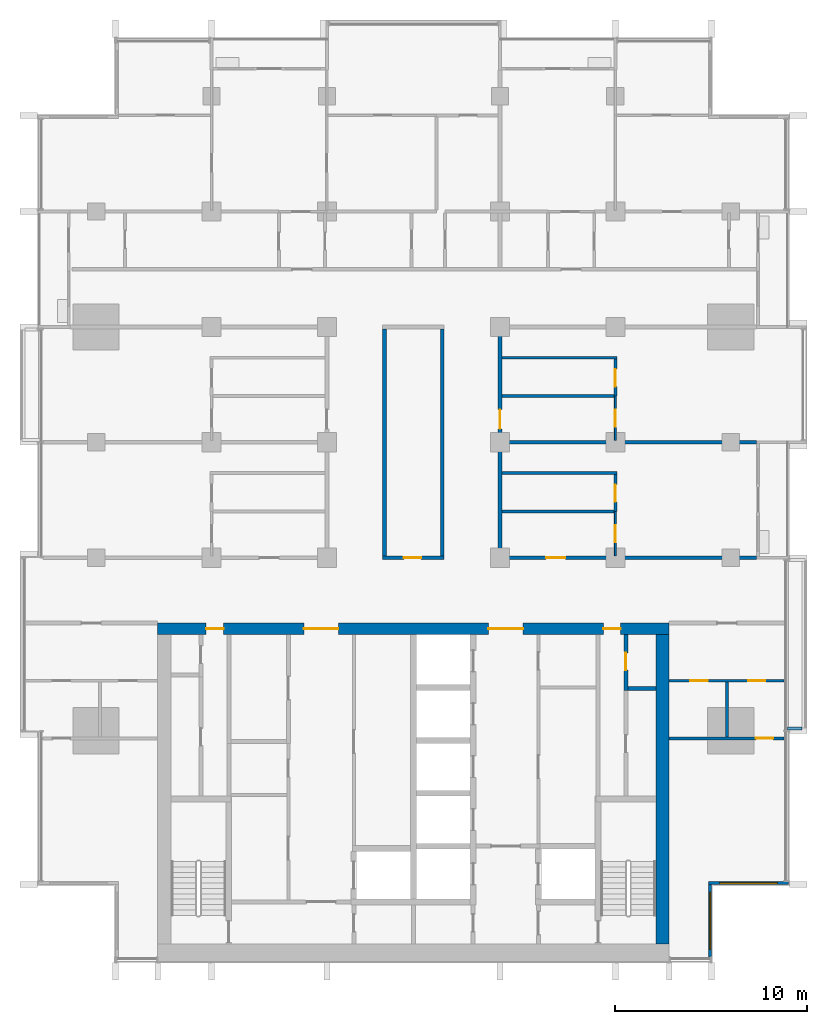
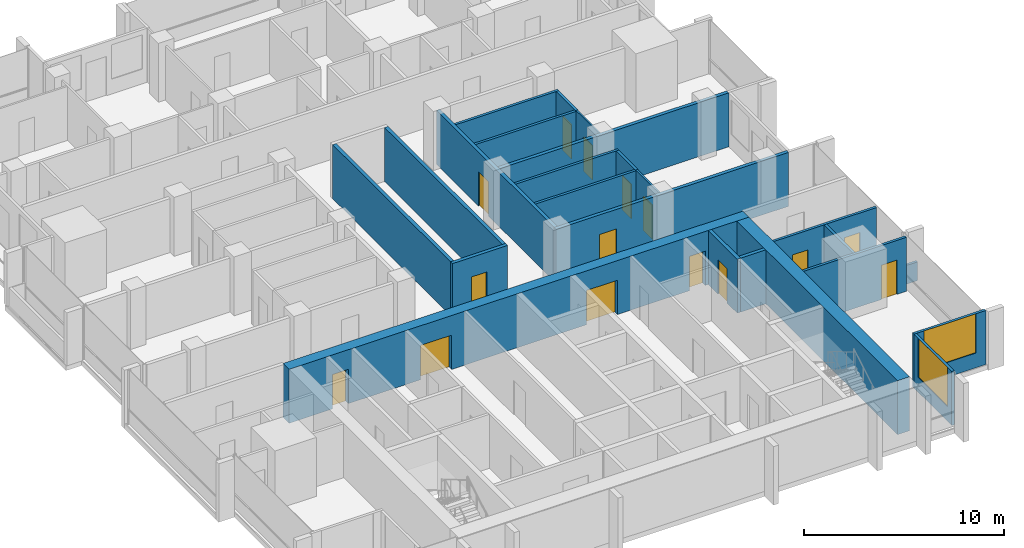
# One storey, part 9 of 17: 24 walls, 15 doors, 2 windows, 17 openings.
"""IFC4 building model written with IfcOpenShell, lengths in metres."""

import ifcopenshell
import ifcopenshell.guid

model = None  # the IFC model being written
_history = None  # IfcOwnerHistory: only IFC2X3 demands one
_inside = {}  # id of a spatial element -> (the spatial element, [elements in it])
_under = {}  # id of a project, library or spatial element -> (it, [spatial elements below it])
_declared = {}  # id of a project -> (the project, [libraries it declares])
_typed = {}  # id of a type object -> (the type object, [elements of that type])
_made_of = {}  # id of a material, layer set ... -> (it, [elements and type objects made of it])


def new_model(schema):
    """Start an empty IFC model of exactly this schema.

    Asked for "IFC4X3", IfcOpenShell would pick the latest addendum, in which some entities
    have other attributes; the version numbers below select the first issue.
    IFC2X3 requires an IfcOwnerHistory on every rooted entity: one is made here for all.
    """
    global model, _history
    if schema == "IFC4X3":
        model = ifcopenshell.file(schema_version=(4, 3, 0, 0))
    else:
        model = ifcopenshell.file(schema=schema)
    _inside.clear()
    _under.clear()
    _declared.clear()
    _typed.clear()
    _made_of.clear()
    _history = None
    if model.schema == "IFC2X3":
        org = make("IfcOrganization", Name="unknown")
        user = make(
            "IfcPersonAndOrganization",
            ThePerson=make("IfcPerson", FamilyName="unknown"),
            TheOrganization=org,
        )
        app = make(
            "IfcApplication",
            ApplicationDeveloper=org,
            Version="unknown",
            ApplicationFullName="unknown",
            ApplicationIdentifier="unknown",
        )
        _history = make(
            "IfcOwnerHistory",
            OwningUser=user,
            OwningApplication=app,
            ChangeAction="ADDED",
            CreationDate=0,
        )
    return model


def make(cls, **values):
    """One entity of the class cls with the attributes given. An attribute that is None is left unset."""
    return model.create_entity(
        cls, **{name: value for name, value in values.items() if value is not None}
    )


def rooted(cls, **values):
    """An entity with a GlobalId (a new one), such as an element, a storey or a relation."""
    return make(cls, GlobalId=ifcopenshell.guid.new(), OwnerHistory=_history, **values)


def si_unit(unit_type, name, prefix=None):
    """IfcSIUnit, for example si_unit("LENGTHUNIT", "METRE", prefix="MILLI")."""
    return make("IfcSIUnit", UnitType=unit_type, Prefix=prefix, Name=name)


def assignment(units):
    """IfcUnitAssignment: the units of a project."""
    return None if units is None else make("IfcUnitAssignment", Units=units)


def point(xyz):
    """IfcCartesianPoint."""
    return None if xyz is None else make("IfcCartesianPoint", Coordinates=xyz)


def direction(xyz):
    """IfcDirection."""
    return None if xyz is None else make("IfcDirection", DirectionRatios=xyz)


def frame(location, z_axis=None, x_axis=None):
    """IfcAxis2Placement3D, a coordinate frame: its origin and axes. An axis left out is left unset."""
    return make(
        "IfcAxis2Placement3D",
        Location=point(location),
        Axis=direction(z_axis),
        RefDirection=direction(x_axis),
    )


def frame_2d(location, x_axis=None):
    """IfcAxis2Placement2D, a coordinate frame in the plane: its origin and x axis."""
    return make(
        "IfcAxis2Placement2D", Location=point(location), RefDirection=direction(x_axis)
    )


def origin():
    """The frame at (0, 0, 0) with its axes left unset."""
    return frame((0.0, 0.0, 0.0))


def place(relative_to, where):
    """IfcLocalPlacement: puts the frame where relative to a parent placement (None: the world)."""
    return make(
        "IfcLocalPlacement", PlacementRelTo=relative_to, RelativePlacement=where
    )


def context(
    kind, dimensions, precision=None, world=None, true_north=None, identifier=None
):
    """IfcGeometricRepresentationContext, for example the 3D "Model" context."""
    return make(
        "IfcGeometricRepresentationContext",
        ContextIdentifier=identifier,
        ContextType=kind,
        CoordinateSpaceDimension=dimensions,
        Precision=precision,
        WorldCoordinateSystem=world,
        TrueNorth=true_north,
    )


def subcontext(parent, identifier, kind, view, scale=None):
    """IfcGeometricRepresentationSubContext, for example "Body" below "Model"."""
    return make(
        "IfcGeometricRepresentationSubContext",
        ContextIdentifier=identifier,
        ContextType=kind,
        ParentContext=parent,
        TargetScale=scale,
        TargetView=view,
    )


def project(units=None, contexts=None):
    """IfcProject with its units and contexts."""
    return rooted(
        "IfcProject",
        Name="project",
        RepresentationContexts=contexts,
        UnitsInContext=assignment(units),
    )


def spatial(cls, under=None, at=None, **own):
    """A site, building, storey or space (cls), placed at a placement, below another one or the project."""
    s = rooted(cls, ObjectPlacement=at, **own)
    if under is not None:
        _under.setdefault(under.id(), (under, []))[1].append(s)
    return s


def profile(cls, at=None, kind="AREA", **sizes):
    """A parametric profile (cls). Its sizes go by their IFC names, for example OverallWidth=200.0."""
    return make(cls, ProfileType=kind, Position=at, **sizes)


def rectangle(**sizes):
    """IfcRectangleProfileDef."""
    return profile("IfcRectangleProfileDef", **sizes)


def extrude(swept, where, along, depth):
    """IfcExtrudedAreaSolid: the profile swept, set in the frame where, extruded along a direction by depth."""
    return make(
        "IfcExtrudedAreaSolid",
        SweptArea=swept,
        Position=where,
        ExtrudedDirection=direction(along),
        Depth=depth,
    )


def shape(context_of_items, identifier, shape_type, items):
    """IfcShapeRepresentation: the items that make up one representation, for example the "Body"."""
    return make(
        "IfcShapeRepresentation",
        ContextOfItems=context_of_items,
        RepresentationIdentifier=identifier,
        RepresentationType=shape_type,
        Items=items,
    )


def material(Name=None, Category=None):
    """IfcMaterial."""
    return make("IfcMaterial", Name=Name, Category=Category)


def layer(
    of_material, thickness, ventilated=None, Name=None, Category=None, Priority=None
):
    """IfcMaterialLayer: one layer of a wall or slab, of a material (None: an air gap)."""
    return make(
        "IfcMaterialLayer",
        Material=of_material,
        LayerThickness=thickness,
        IsVentilated=ventilated,
        Name=Name,
        Category=Category,
        Priority=Priority,
    )


def layer_set(layers, Name=None):
    """IfcMaterialLayerSet."""
    return make("IfcMaterialLayerSet", MaterialLayers=layers, LayerSetName=Name)


def made_of(thing, what):
    """Note that an element or type object is made of a material, layer set ...; save() writes the relation."""
    if what is not None:
        _made_of.setdefault(what.id(), (what, []))[1].append(thing)
    return thing


def type_object(cls, material=None, **own):
    """A type object (cls), such as IfcWallType, which elements share."""
    return made_of(rooted(cls, **own), material)


def element(
    cls,
    number,
    at=None,
    inside=None,
    cuts=None,
    type_object=None,
    material=None,
    context=None,
    identifier="Body",
    shape_type=None,
    held_by="IfcProductDefinitionShape",
    body=None,
    shapes=None,
    **own,
):
    """One element of the class cls, such as IfcWall. Its Tag is "e" and its number.

    at: its placement. inside: the storey or other place that contains it. cuts: it is an
    opening in that element (IfcRelVoidsElement). A single representation is given by context,
    identifier, shape_type and body (its items); several are given by shapes. held_by: the class
    of the entity that holds the representations. save() writes the other relations.
    """
    e = rooted(cls, Tag="e%d" % number, ObjectPlacement=at, **own)
    if body is not None:
        shapes = [shape(context, identifier, shape_type, body)]
    if shapes is not None:
        e.Representation = make(held_by, Representations=shapes)
    if inside is not None:
        _inside.setdefault(inside.id(), (inside, []))[1].append(e)
    if cuts is not None:
        rooted(
            "IfcRelVoidsElement", RelatingBuildingElement=cuts, RelatedOpeningElement=e
        )
    if type_object is not None:
        _typed.setdefault(type_object.id(), (type_object, []))[1].append(e)
    return made_of(e, material)


def fill(opening, filler):
    """IfcRelFillsElement: the door or window that sits in an opening."""
    return rooted(
        "IfcRelFillsElement",
        RelatingOpeningElement=opening,
        RelatedBuildingElement=filler,
    )


def aggregate(whole, parts):
    """IfcRelAggregates: a whole, such as a stair, and the parts it consists of."""
    return rooted("IfcRelAggregates", RelatingObject=whole, RelatedObjects=parts)


def save(model, path):
    """Write the relations noted so far, then the file.

    IfcRelAggregates (storeys below a building ...), IfcRelContainedInSpatialStructure (elements
    in a storey), IfcRelDefinesByType, IfcRelAssociatesMaterial and IfcRelDeclares: one each for
    every whole, place, type object, material and project.
    """
    for whole, parts in _under.values():
        aggregate(whole, parts)
    for where, things in _inside.values():
        rooted(
            "IfcRelContainedInSpatialStructure",
            RelatedElements=things,
            RelatingStructure=where,
        )
    for kind, things in _typed.values():
        rooted("IfcRelDefinesByType", RelatedObjects=things, RelatingType=kind)
    for what, things in _made_of.values():
        rooted("IfcRelAssociatesMaterial", RelatedObjects=things, RelatingMaterial=what)
    for by, libraries in _declared.values():
        rooted("IfcRelDeclares", RelatingContext=by, RelatedDefinitions=libraries)
    model.write(path)


model = new_model("IFC4")

# Units and contexts
model_context = context("Model", 3, precision=1e-05, world=origin(), true_north=direction((0.0, 1.0)))
body_context = subcontext(model_context, "Body", "Model", "MODEL_VIEW")
ifc_project = project(units=[si_unit("LENGTHUNIT", "METRE"), si_unit("AREAUNIT", "SQUARE_METRE"), si_unit("VOLUMEUNIT", "CUBIC_METRE"), si_unit("PLANEANGLEUNIT", "RADIAN"), si_unit("MASSUNIT", "GRAM", prefix="KILO")], contexts=[model_context])

# Site, building, storey
site_placement = place(None, origin())
site = spatial("IfcSite", under=ifc_project, at=site_placement, CompositionType="ELEMENT")
building_placement = place(site_placement, origin())
building = spatial("IfcBuilding", under=site, at=building_placement, Name="Finial Court Residences", CompositionType="ELEMENT")
storey_placement = place(building_placement, frame((0.0, 0.0, 181.699951171875)))
storey = spatial("IfcBuildingStorey", under=building, at=storey_placement, Name="L45", CompositionType="ELEMENT", Elevation=181.699951171875)

# Wall
ifc_material_1 = material(Name="Gypsum board")
ifc_layer_1 = layer(ifc_material_1, 0.02490234375)
ifc_material_2 = material(Name="Acoustic mineral wool in double frame")
ifc_layer_2 = layer(ifc_material_2, 0.14990234375)
ifc_layer_3 = layer(ifc_material_1, 0.02490234375)
ifc_layer_set_1 = layer_set([ifc_layer_1, ifc_layer_2, ifc_layer_3], Name="Acoustic party wall 200, 1 hour")
wall_type_1 = type_object("IfcWallType", Name="Acoustic party wall 200, 1 hour", PredefinedType="PARTITIONING", material=ifc_layer_set_1)
wall_1_placement = place(storey_placement, frame((4.60009765625, 1.5, 0.0), z_axis=(0.0, 0.0, 1.0), x_axis=(1.0, 0.0, 0.0)))
element("IfcWall", 1, at=wall_1_placement, inside=storey, type_object=wall_type_1, Name="Partition L45-014", PredefinedType="PARTITIONING", context=body_context, shape_type="SweptSolid", body=[
    extrude(rectangle(XDim=13.25, YDim=0.199951171875, at=frame_2d((6.625, 0.0))), origin(), (0.0, 0.0, 1.0), 3.300048828125),
])

# Wall, openings, doors
ifc_material_3 = material(Name="Concrete C70/85", Category="concrete")
ifc_layer_4 = layer(ifc_material_3, 0.60009765625)
ifc_layer_set_2 = layer_set([ifc_layer_4], Name="Core outer wall 600 Concrete C70/85")
wall_type_2 = type_object("IfcWallType", Name="Core outer wall 600 Concrete C70/85", PredefinedType="SHEAR", material=ifc_layer_set_2)
wall_2_placement = place(storey_placement, frame((-13.300048828125, -8.199951171875, 0.0), z_axis=(0.0, 0.0, 1.0), x_axis=(1.0, 0.0, 0.0)))
wall_2 = element("IfcWall", 2, at=wall_2_placement, inside=storey, type_object=wall_type_2, Name="Core outer wall L45-02", PredefinedType="SHEAR", context=body_context, shape_type="SweptSolid", body=[
    extrude(rectangle(XDim=26.60009765625, YDim=0.60009765625, at=frame_2d((13.300048828125, 0.0))), origin(), (0.0, 0.0, 1.0), 3.300048828125),
])
opening_1_placement = place(wall_2_placement, frame((7.60009765625, 0.0, 0.0)))
opening_1 = element("IfcOpeningElement", 3, at=opening_1_placement, cuts=wall_2, Name="Opening L45-C04", PredefinedType="OPENING", context=body_context, shape_type="SweptSolid", body=[
    extrude(rectangle(XDim=1.800048828125, YDim=2.10009765625, at=frame_2d((0.89990234375, 1.050048828125))), frame((0.0, 0.31005859375, 0.0), z_axis=(0.0, -1.0, 0.0), x_axis=(1.0, 0.0, 0.0)), (0.0, 0.0, 1.0), 0.6201171875),
])
opening_2_placement = place(wall_2_placement, frame((17.199951171875, 0.0, 0.0)))
opening_2 = element("IfcOpeningElement", 4, at=opening_2_placement, cuts=wall_2, Name="Opening L45-C05", PredefinedType="OPENING", context=body_context, shape_type="SweptSolid", body=[
    extrude(rectangle(XDim=1.800048828125, YDim=2.10009765625, at=frame_2d((0.89990234375, 1.050048828125))), frame((0.0, 0.31005859375, 0.0), z_axis=(0.0, -1.0, 0.0), x_axis=(1.0, 0.0, 0.0)), (0.0, 0.0, 1.0), 0.6201171875),
])
opening_3_placement = place(wall_2_placement, frame((2.52490234375, 0.0, 0.0)))
opening_3 = element("IfcOpeningElement", 5, at=opening_3_placement, cuts=wall_2, Name="Opening L45-C10", PredefinedType="OPENING", context=body_context, shape_type="SweptSolid", body=[
    extrude(rectangle(XDim=0.89990234375, YDim=2.10009765625, at=frame_2d((0.449951171875, 1.050048828125))), frame((0.0, 0.31005859375, 0.0), z_axis=(0.0, -1.0, 0.0), x_axis=(1.0, 0.0, 0.0)), (0.0, 0.0, 1.0), 0.6201171875),
])
opening_4_placement = place(wall_2_placement, frame((23.175048828125, 0.0, 0.0)))
opening_4 = element("IfcOpeningElement", 6, at=opening_4_placement, cuts=wall_2, Name="Opening L45-C11", PredefinedType="OPENING", context=body_context, shape_type="SweptSolid", body=[
    extrude(rectangle(XDim=0.89990234375, YDim=2.10009765625, at=frame_2d((0.449951171875, 1.050048828125))), frame((0.0, 0.31005859375, 0.0), z_axis=(0.0, -1.0, 0.0), x_axis=(1.0, 0.0, 0.0)), (0.0, 0.0, 1.0), 0.6201171875),
])
ifc_material_4 = material(Name="Steel fire door", Category="steel")
door_type_1 = type_object("IfcDoorType", Name="Lift lobby door 1800 x 2100 EI 60", OperationType="DOUBLE_DOOR_SINGLE_SWING", PredefinedType="DOOR", material=ifc_material_4)
door_1_placement = place(opening_1_placement, origin())
door_1 = element("IfcDoor", 7, at=door_1_placement, inside=storey, type_object=door_type_1, Name="Lift lobby door L45-C04", OperationType="DOUBLE_DOOR_SINGLE_SWING", OverallHeight=2.10009765625, OverallWidth=1.800048828125, PredefinedType="DOOR", context=body_context, shape_type="SweptSolid", body=[
    extrude(rectangle(XDim=1.800048828125, YDim=2.10009765625, at=frame_2d((0.89990234375, 1.050048828125))), frame((0.0, 0.02490234375, 0.0), z_axis=(0.0, -1.0, 0.0), x_axis=(1.0, 0.0, 0.0)), (0.0, 0.0, 1.0), 0.050048828125),
])
fill(opening_1, door_1)
door_2_placement = place(opening_2_placement, origin())
door_2 = element("IfcDoor", 8, at=door_2_placement, inside=storey, type_object=door_type_1, Name="Lift lobby door L45-C05", OperationType="DOUBLE_DOOR_SINGLE_SWING", OverallHeight=2.10009765625, OverallWidth=1.800048828125, PredefinedType="DOOR", context=body_context, shape_type="SweptSolid", body=[
    extrude(rectangle(XDim=1.800048828125, YDim=2.10009765625, at=frame_2d((0.89990234375, 1.050048828125))), frame((0.0, 0.02490234375, 0.0), z_axis=(0.0, -1.0, 0.0), x_axis=(1.0, 0.0, 0.0)), (0.0, 0.0, 1.0), 0.050048828125),
])
fill(opening_2, door_2)
door_type_2 = type_object("IfcDoorType", Name="Riser room door 900 x 2100 EI 90", OperationType="NOTDEFINED", PredefinedType="DOOR", material=ifc_material_4)
door_3_placement = place(opening_3_placement, origin())
door_3 = element("IfcDoor", 9, at=door_3_placement, inside=storey, type_object=door_type_2, Name="Riser room door L45-C10", OperationType="SINGLE_SWING_RIGHT", OverallHeight=2.10009765625, OverallWidth=0.89990234375, PredefinedType="DOOR", context=body_context, shape_type="SweptSolid", body=[
    extrude(rectangle(XDim=0.89990234375, YDim=2.10009765625, at=frame_2d((0.449951171875, 1.050048828125))), frame((0.0, 0.02490234375, 0.0), z_axis=(0.0, -1.0, 0.0), x_axis=(1.0, 0.0, 0.0)), (0.0, 0.0, 1.0), 0.050048828125),
])
fill(opening_3, door_3)
door_4_placement = place(opening_4_placement, origin())
door_4 = element("IfcDoor", 10, at=door_4_placement, inside=storey, type_object=door_type_2, Name="Riser room door L45-C11", OperationType="SINGLE_SWING_LEFT", OverallHeight=2.10009765625, OverallWidth=0.89990234375, PredefinedType="DOOR", context=body_context, shape_type="SweptSolid", body=[
    extrude(rectangle(XDim=0.89990234375, YDim=2.10009765625, at=frame_2d((0.449951171875, 1.050048828125))), frame((0.0, 0.02490234375, 0.0), z_axis=(0.0, -1.0, 0.0), x_axis=(1.0, 0.0, 0.0)), (0.0, 0.0, 1.0), 0.050048828125),
])
fill(opening_4, door_4)

# Wall
ifc_layer_5 = layer(ifc_material_3, 0.699951171875)
ifc_layer_set_3 = layer_set([ifc_layer_5], Name="Core outer wall 700 Concrete C70/85")
wall_type_3 = type_object("IfcWallType", Name="Core outer wall 700 Concrete C70/85", PredefinedType="SHEAR", material=ifc_layer_set_3)
wall_3_placement = place(storey_placement, frame((12.949951171875, -24.60009765625, 0.0), z_axis=(0.0, 0.0, 1.0), x_axis=(0.0, 1.0, 0.0)))
element("IfcWall", 11, at=wall_3_placement, inside=storey, type_object=wall_type_3, Name="Core outer wall L45-04", PredefinedType="SHEAR", context=body_context, shape_type="SweptSolid", body=[
    extrude(rectangle(XDim=16.10009765625, YDim=0.699951171875, at=frame_2d((8.050048828125, 0.0))), origin(), (0.0, 0.0, 1.0), 3.300048828125),
])

# Wall, opening, door
ifc_layer_6 = layer(ifc_material_1, 0.02490234375)
ifc_layer_7 = layer(ifc_material_2, 0.14990234375)
ifc_layer_8 = layer(ifc_material_1, 0.02490234375)
ifc_layer_set_4 = layer_set([ifc_layer_6, ifc_layer_7, ifc_layer_8], Name="Corridor wall 200, 1 hour")
wall_type_4 = type_object("IfcWallType", Name="Corridor wall 200, 1 hour", PredefinedType="PARTITIONING", material=ifc_layer_set_4)
wall_4_placement = place(storey_placement, frame((-1.60009765625, -4.5, 0.0), z_axis=(0.0, 0.0, 1.0), x_axis=(1.0, 0.0, 0.0)))
wall_4 = element("IfcWall", 12, at=wall_4_placement, inside=storey, type_object=wall_type_4, Name="Partition L45-007", PredefinedType="PARTITIONING", context=body_context, shape_type="SweptSolid", body=[
    extrude(rectangle(XDim=3.2001953125, YDim=0.199951171875, at=frame_2d((1.60009765625, 0.0))), origin(), (0.0, 0.0, 1.0), 3.300048828125),
])
opening_5_placement = place(wall_4_placement, frame((1.10009765625, 0.0, 0.0)))
opening_5 = element("IfcOpeningElement", 13, at=opening_5_placement, cuts=wall_4, Name="Opening L45-D010", PredefinedType="OPENING", context=body_context, shape_type="SweptSolid", body=[
    extrude(rectangle(XDim=0.89990234375, YDim=2.10009765625, at=frame_2d((0.449951171875, 1.050048828125))), frame((0.0, 0.10986328125, 0.0), z_axis=(0.0, -1.0, 0.0), x_axis=(1.0, 0.0, 0.0)), (0.0, 0.0, 1.0), 0.219970703125),
])
ifc_material_5 = material(Name="Timber door leaf in hollow metal frame", Category="wood")
door_type_3 = type_object("IfcDoorType", Name="Fire door set 900 x 2100, 30 minutes", OperationType="SINGLE_SWING_LEFT", PredefinedType="DOOR", material=ifc_material_5)
door_5_placement = place(opening_5_placement, origin())
door_5 = element("IfcDoor", 14, at=door_5_placement, inside=storey, type_object=door_type_3, Name="Door L45-D010", OperationType="SINGLE_SWING_LEFT", OverallHeight=2.10009765625, OverallWidth=0.89990234375, PredefinedType="DOOR", context=body_context, shape_type="SweptSolid", body=[
    extrude(rectangle(XDim=0.89990234375, YDim=2.10009765625, at=frame_2d((0.449951171875, 1.050048828125))), frame((0.0, 0.02490234375, 0.0), z_axis=(0.0, -1.0, 0.0), x_axis=(1.0, 0.0, 0.0)), (0.0, 0.0, 1.0), 0.050048828125),
])
fill(opening_5, door_5)

wall_5_placement = place(storey_placement, frame((4.39990234375, -4.5, 0.0), z_axis=(0.0, 0.0, 1.0), x_axis=(1.0, 0.0, 0.0)))
wall_5 = element("IfcWall", 15, at=wall_5_placement, inside=storey, type_object=wall_type_4, Name="Partition L45-008", PredefinedType="PARTITIONING", context=body_context, shape_type="SweptSolid", body=[
    extrude(rectangle(XDim=13.4501953125, YDim=0.199951171875, at=frame_2d((6.72509765625, 0.0))), origin(), (0.0, 0.0, 1.0), 3.300048828125),
])
opening_6_placement = place(wall_5_placement, frame((2.5, 0.0, 0.0)))
opening_6 = element("IfcOpeningElement", 16, at=opening_6_placement, cuts=wall_5, Name="Opening L45-D011", PredefinedType="OPENING", context=body_context, shape_type="SweptSolid", body=[
    extrude(rectangle(XDim=1.0, YDim=2.10009765625, at=frame_2d((0.5, 1.050048828125))), frame((0.0, 0.10986328125, 0.0), z_axis=(0.0, -1.0, 0.0), x_axis=(1.0, 0.0, 0.0)), (0.0, 0.0, 1.0), 0.219970703125),
])
door_type_4 = type_object("IfcDoorType", Name="Fire door set 1000 x 2100, 30 minutes", OperationType="SINGLE_SWING_LEFT", PredefinedType="DOOR", material=ifc_material_5)
door_6_placement = place(opening_6_placement, origin())
door_6 = element("IfcDoor", 17, at=door_6_placement, inside=storey, type_object=door_type_4, Name="Door L45-D011", OperationType="SINGLE_SWING_RIGHT", OverallHeight=2.10009765625, OverallWidth=1.0, PredefinedType="DOOR", context=body_context, shape_type="SweptSolid", body=[
    extrude(rectangle(XDim=1.0, YDim=2.10009765625, at=frame_2d((0.5, 1.050048828125))), frame((0.0, 0.02490234375, 0.0), z_axis=(0.0, -1.0, 0.0), x_axis=(1.0, 0.0, 0.0)), (0.0, 0.0, 1.0), 0.050048828125),
])
fill(opening_6, door_6)

# Walls
for number, where, z_axis, x_axis, name in (
    (18, (-1.5, -4.39990234375, 0.0), (0.0, 0.0, 1.0), (0.0, 1.0, 0.0), "Partition L45-044"),
    (19, (1.5, -4.39990234375, 0.0), (0.0, 0.0, 1.0), (0.0, 1.0, 0.0), "Partition L45-047"),
):
    element("IfcWall", number, at=place(storey_placement, frame(where, z_axis=z_axis, x_axis=x_axis)), inside=storey, type_object=wall_type_4, Name=name, PredefinedType="PARTITIONING", context=body_context, shape_type="SweptSolid", body=[
        extrude(rectangle(XDim=11.7998046875, YDim=0.199951171875, at=frame_2d((5.89990234375, 0.0))), origin(), (0.0, 0.0, 1.0), 3.300048828125),
    ])

# Wall, opening, door
wall_6_placement = place(storey_placement, frame((4.5, -4.39990234375, 0.0), z_axis=(0.0, 0.0, 1.0), x_axis=(0.0, 1.0, 0.0)))
wall_6 = element("IfcWall", 20, at=wall_6_placement, inside=storey, type_object=wall_type_4, Name="Partition L45-049", PredefinedType="PARTITIONING", context=body_context, shape_type="SweptSolid", body=[
    extrude(rectangle(XDim=11.7998046875, YDim=0.199951171875, at=frame_2d((5.89990234375, 0.0))), origin(), (0.0, 0.0, 1.0), 3.300048828125),
])
opening_7_placement = place(wall_6_placement, frame((6.60009765625, 0.0, 0.0)))
opening_7 = element("IfcOpeningElement", 21, at=opening_7_placement, cuts=wall_6, Name="Opening L45-D033", PredefinedType="OPENING", context=body_context, shape_type="SweptSolid", body=[
    extrude(rectangle(XDim=1.0, YDim=2.10009765625, at=frame_2d((0.5, 1.050048828125))), frame((0.0, 0.10986328125, 0.0), z_axis=(0.0, -1.0, 0.0), x_axis=(1.0, 0.0, 0.0)), (0.0, 0.0, 1.0), 0.219970703125),
])
door_7_placement = place(opening_7_placement, origin())
door_7 = element("IfcDoor", 22, at=door_7_placement, inside=storey, type_object=door_type_4, Name="Door L45-D033", OperationType="SINGLE_SWING_RIGHT", OverallHeight=2.10009765625, OverallWidth=1.0, PredefinedType="DOOR", context=body_context, shape_type="SweptSolid", body=[
    extrude(rectangle(XDim=1.0, YDim=2.10009765625, at=frame_2d((0.5, 1.050048828125))), frame((0.0, 0.02490234375, 0.0), z_axis=(0.0, -1.0, 0.0), x_axis=(1.0, 0.0, 0.0)), (0.0, 0.0, 1.0), 0.050048828125),
])
fill(opening_7, door_7)

ifc_layer_9 = layer(ifc_material_1, 0.012451171875)
ifc_material_6 = material(Name="Mineral wool in light-gauge frame")
ifc_layer_10 = layer(ifc_material_6, 0.074951171875)
ifc_layer_11 = layer(ifc_material_1, 0.012451171875)
ifc_layer_set_5 = layer_set([ifc_layer_9, ifc_layer_10, ifc_layer_11], Name="Gypsum board partition 100")
wall_type_5 = type_object("IfcWallType", Name="Gypsum board partition 100", PredefinedType="PARTITIONING", material=ifc_layer_set_5)
wall_7_placement = place(storey_placement, frame((10.5, -4.39990234375, 0.0), z_axis=(0.0, 0.0, 1.0), x_axis=(0.0, 1.0, 0.0)))
wall_7 = element("IfcWall", 23, at=wall_7_placement, inside=storey, type_object=wall_type_5, Name="Partition L45-054", PredefinedType="PARTITIONING", context=body_context, shape_type="SweptSolid", body=[
    extrude(rectangle(XDim=2.2998046875, YDim=0.10009765625, at=frame_2d((1.14990234375, 0.0))), origin(), (0.0, 0.0, 1.0), 3.300048828125),
])
opening_8_placement = place(wall_7_placement, frame((0.699951171875, 0.0, 0.0)))
opening_8 = element("IfcOpeningElement", 24, at=opening_8_placement, cuts=wall_7, Name="Opening L45-D036", PredefinedType="OPENING", context=body_context, shape_type="SweptSolid", body=[
    extrude(rectangle(XDim=0.89990234375, YDim=2.10009765625, at=frame_2d((0.449951171875, 1.050048828125))), frame((0.0, 0.06005859375, 0.0), z_axis=(0.0, -1.0, 0.0), x_axis=(1.0, 0.0, 0.0)), (0.0, 0.0, 1.0), 0.1201171875),
])
ifc_material_7 = material(Name="Timber door leaf in timber frame", Category="wood")
door_type_5 = type_object("IfcDoorType", Name="Door set 900 x 2100", OperationType="SINGLE_SWING_LEFT", PredefinedType="DOOR", material=ifc_material_7)
door_8_placement = place(opening_8_placement, origin())
door_8 = element("IfcDoor", 25, at=door_8_placement, inside=storey, type_object=door_type_5, Name="Door L45-D036", OperationType="SINGLE_SWING_LEFT", OverallHeight=2.10009765625, OverallWidth=0.89990234375, PredefinedType="DOOR", context=body_context, shape_type="SweptSolid", body=[
    extrude(rectangle(XDim=0.89990234375, YDim=2.10009765625, at=frame_2d((0.449951171875, 1.050048828125))), frame((0.0, 0.02490234375, 0.0), z_axis=(0.0, -1.0, 0.0), x_axis=(1.0, 0.0, 0.0)), (0.0, 0.0, 1.0), 0.050048828125),
])
fill(opening_8, door_8)

wall_8_placement = place(storey_placement, frame((10.5, 1.60009765625, 0.0), z_axis=(0.0, 0.0, 1.0), x_axis=(0.0, 1.0, 0.0)))
wall_8 = element("IfcWall", 26, at=wall_8_placement, inside=storey, type_object=wall_type_5, Name="Partition L45-055", PredefinedType="PARTITIONING", context=body_context, shape_type="SweptSolid", body=[
    extrude(rectangle(XDim=2.2998046875, YDim=0.10009765625, at=frame_2d((1.14990234375, 0.0))), origin(), (0.0, 0.0, 1.0), 3.300048828125),
])
opening_9_placement = place(wall_8_placement, frame((0.699951171875, 0.0, 0.0)))
opening_9 = element("IfcOpeningElement", 27, at=opening_9_placement, cuts=wall_8, Name="Opening L45-D037", PredefinedType="OPENING", context=body_context, shape_type="SweptSolid", body=[
    extrude(rectangle(XDim=0.89990234375, YDim=2.10009765625, at=frame_2d((0.449951171875, 1.050048828125))), frame((0.0, 0.06005859375, 0.0), z_axis=(0.0, -1.0, 0.0), x_axis=(1.0, 0.0, 0.0)), (0.0, 0.0, 1.0), 0.1201171875),
])
door_9_placement = place(opening_9_placement, origin())
door_9 = element("IfcDoor", 28, at=door_9_placement, inside=storey, type_object=door_type_5, Name="Door L45-D037", OperationType="SINGLE_SWING_LEFT", OverallHeight=2.10009765625, OverallWidth=0.89990234375, PredefinedType="DOOR", context=body_context, shape_type="SweptSolid", body=[
    extrude(rectangle(XDim=0.89990234375, YDim=2.10009765625, at=frame_2d((0.449951171875, 1.050048828125))), frame((0.0, 0.02490234375, 0.0), z_axis=(0.0, -1.0, 0.0), x_axis=(1.0, 0.0, 0.0)), (0.0, 0.0, 1.0), 0.050048828125),
])
fill(opening_9, door_9)

ifc_material_8 = material(Name="Moisture-resistant gypsum board")
ifc_layer_12 = layer(ifc_material_8, 0.012451171875)
ifc_layer_13 = layer(ifc_material_6, 0.125)
ifc_layer_14 = layer(ifc_material_8, 0.012451171875)
ifc_layer_set_6 = layer_set([ifc_layer_12, ifc_layer_13, ifc_layer_14], Name="Gypsum board wet-area partition 150")
wall_type_6 = type_object("IfcWallType", Name="Gypsum board wet-area partition 150", PredefinedType="PARTITIONING", material=ifc_layer_set_6)
wall_9_placement = place(storey_placement, frame((13.300048828125, -13.89990234375, 0.0), z_axis=(0.0, 0.0, 1.0), x_axis=(1.0, 0.0, 0.0)))
wall_9 = element("IfcWall", 29, at=wall_9_placement, inside=storey, type_object=wall_type_6, Name="Partition L45-001", PredefinedType="PARTITIONING", context=body_context, shape_type="SweptSolid", body=[
    extrude(rectangle(XDim=5.96240234375, YDim=0.14990234375, at=frame_2d((2.981201171875, 0.0))), origin(), (0.0, 0.0, 1.0), 3.300048828125),
])
opening_10_placement = place(wall_9_placement, frame((4.5, 0.0, 0.0)))
opening_10 = element("IfcOpeningElement", 30, at=opening_10_placement, cuts=wall_9, Name="Opening L45-D002", PredefinedType="OPENING", context=body_context, shape_type="SweptSolid", body=[
    extrude(rectangle(XDim=0.89990234375, YDim=2.10009765625, at=frame_2d((0.449951171875, 1.050048828125))), frame((0.0, 0.0849609375, 0.0), z_axis=(0.0, -1.0, 0.0), x_axis=(1.0, 0.0, 0.0)), (0.0, 0.0, 1.0), 0.169921875),
])
door_10_placement = place(opening_10_placement, origin())
door_10 = element("IfcDoor", 31, at=door_10_placement, inside=storey, type_object=door_type_5, Name="Door L45-D002", OperationType="SINGLE_SWING_RIGHT", OverallHeight=2.10009765625, OverallWidth=0.89990234375, PredefinedType="DOOR", context=body_context, shape_type="SweptSolid", body=[
    extrude(rectangle(XDim=0.89990234375, YDim=2.10009765625, at=frame_2d((0.449951171875, 1.050048828125))), frame((0.0, 0.02490234375, 0.0), z_axis=(0.0, -1.0, 0.0), x_axis=(1.0, 0.0, 0.0)), (0.0, 0.0, 1.0), 0.050048828125),
])
fill(opening_10, door_10)

# Wall, openings, doors
wall_10_placement = place(storey_placement, frame((13.300048828125, -10.89990234375, 0.0), z_axis=(0.0, 0.0, 1.0), x_axis=(1.0, 0.0, 0.0)))
wall_10 = element("IfcWall", 32, at=wall_10_placement, inside=storey, type_object=wall_type_6, Name="Partition L45-003", PredefinedType="PARTITIONING", context=body_context, shape_type="SweptSolid", body=[
    extrude(rectangle(XDim=5.96240234375, YDim=0.14990234375, at=frame_2d((2.981201171875, 0.0))), origin(), (0.0, 0.0, 1.0), 3.300048828125),
])
opening_11_placement = place(wall_10_placement, frame((1.10009765625, 0.0, 0.0)))
opening_11 = element("IfcOpeningElement", 33, at=opening_11_placement, cuts=wall_10, Name="Opening L45-D005", PredefinedType="OPENING", context=body_context, shape_type="SweptSolid", body=[
    extrude(rectangle(XDim=0.89990234375, YDim=2.10009765625, at=frame_2d((0.449951171875, 1.050048828125))), frame((0.0, 0.0849609375, 0.0), z_axis=(0.0, -1.0, 0.0), x_axis=(1.0, 0.0, 0.0)), (0.0, 0.0, 1.0), 0.169921875),
])
opening_12_placement = place(wall_10_placement, frame((4.10009765625, 0.0, 0.0)))
opening_12 = element("IfcOpeningElement", 34, at=opening_12_placement, cuts=wall_10, Name="Opening L45-D006", PredefinedType="OPENING", context=body_context, shape_type="SweptSolid", body=[
    extrude(rectangle(XDim=0.89990234375, YDim=2.10009765625, at=frame_2d((0.449951171875, 1.050048828125))), frame((0.0, 0.0849609375, 0.0), z_axis=(0.0, -1.0, 0.0), x_axis=(1.0, 0.0, 0.0)), (0.0, 0.0, 1.0), 0.169921875),
])
door_11_placement = place(opening_11_placement, origin())
door_11 = element("IfcDoor", 35, at=door_11_placement, inside=storey, type_object=door_type_5, Name="Door L45-D005", OperationType="SINGLE_SWING_LEFT", OverallHeight=2.10009765625, OverallWidth=0.89990234375, PredefinedType="DOOR", context=body_context, shape_type="SweptSolid", body=[
    extrude(rectangle(XDim=0.89990234375, YDim=2.10009765625, at=frame_2d((0.449951171875, 1.050048828125))), frame((0.0, 0.02490234375, 0.0), z_axis=(0.0, -1.0, 0.0), x_axis=(1.0, 0.0, 0.0)), (0.0, 0.0, 1.0), 0.050048828125),
])
fill(opening_11, door_11)
door_12_placement = place(opening_12_placement, origin())
door_12 = element("IfcDoor", 36, at=door_12_placement, inside=storey, type_object=door_type_5, Name="Door L45-D006", OperationType="SINGLE_SWING_RIGHT", OverallHeight=2.10009765625, OverallWidth=0.89990234375, PredefinedType="DOOR", context=body_context, shape_type="SweptSolid", body=[
    extrude(rectangle(XDim=0.89990234375, YDim=2.10009765625, at=frame_2d((0.449951171875, 1.050048828125))), frame((0.0, 0.02490234375, 0.0), z_axis=(0.0, -1.0, 0.0), x_axis=(1.0, 0.0, 0.0)), (0.0, 0.0, 1.0), 0.050048828125),
])
fill(opening_12, door_12)

# Walls
wall_11_placement = place(storey_placement, frame((4.60009765625, -2.10009765625, 0.0), z_axis=(0.0, 0.0, 1.0), x_axis=(1.0, 0.0, 0.0)))
element("IfcWall", 37, at=wall_11_placement, inside=storey, type_object=wall_type_6, Name="Partition L45-010", PredefinedType="PARTITIONING", context=body_context, shape_type="SweptSolid", body=[
    extrude(rectangle(XDim=5.824951171875, YDim=0.14990234375, at=frame_2d((2.91259765625, 0.0))), origin(), (0.0, 0.0, 1.0), 3.300048828125),
])
wall_12_placement = place(storey_placement, frame((4.60009765625, -0.10009765625, 0.0), z_axis=(0.0, 0.0, 1.0), x_axis=(1.0, 0.0, 0.0)))
element("IfcWall", 38, at=wall_12_placement, inside=storey, type_object=wall_type_6, Name="Partition L45-012", PredefinedType="PARTITIONING", context=body_context, shape_type="SweptSolid", body=[
    extrude(rectangle(XDim=5.974853515625, YDim=0.14990234375, at=frame_2d((2.9873046875, 0.0))), origin(), (0.0, 0.0, 1.0), 3.300048828125),
])
wall_13_placement = place(storey_placement, frame((4.60009765625, 3.89990234375, 0.0), z_axis=(0.0, 0.0, 1.0), x_axis=(1.0, 0.0, 0.0)))
element("IfcWall", 39, at=wall_13_placement, inside=storey, type_object=wall_type_6, Name="Partition L45-016", PredefinedType="PARTITIONING", context=body_context, shape_type="SweptSolid", body=[
    extrude(rectangle(XDim=5.824951171875, YDim=0.14990234375, at=frame_2d((2.91259765625, 0.0))), origin(), (0.0, 0.0, 1.0), 3.300048828125),
])
wall_14_placement = place(storey_placement, frame((4.60009765625, 5.89990234375, 0.0), z_axis=(0.0, 0.0, 1.0), x_axis=(1.0, 0.0, 0.0)))
element("IfcWall", 40, at=wall_14_placement, inside=storey, type_object=wall_type_6, Name="Partition L45-018", PredefinedType="PARTITIONING", context=body_context, shape_type="SweptSolid", body=[
    extrude(rectangle(XDim=5.974853515625, YDim=0.14990234375, at=frame_2d((2.9873046875, 0.0))), origin(), (0.0, 0.0, 1.0), 3.300048828125),
])

# Wall, opening, door
wall_15_placement = place(storey_placement, frame((10.5, -2.10009765625, 0.0), z_axis=(0.0, 0.0, 1.0), x_axis=(0.0, 1.0, 0.0)))
wall_15 = element("IfcWall", 41, at=wall_15_placement, inside=storey, type_object=wall_type_6, Name="Partition L45-057", PredefinedType="PARTITIONING", context=body_context, shape_type="SweptSolid", body=[
    extrude(rectangle(XDim=1.925048828125, YDim=0.14990234375, at=frame_2d((0.96240234375, 0.0))), origin(), (0.0, 0.0, 1.0), 3.300048828125),
])
opening_13_placement = place(wall_15_placement, frame((0.5, 0.0, 0.0)))
opening_13 = element("IfcOpeningElement", 42, at=opening_13_placement, cuts=wall_15, Name="Opening L45-D038", PredefinedType="OPENING", context=body_context, shape_type="SweptSolid", body=[
    extrude(rectangle(XDim=0.89990234375, YDim=2.10009765625, at=frame_2d((0.449951171875, 1.050048828125))), frame((0.0, 0.0849609375, 0.0), z_axis=(0.0, -1.0, 0.0), x_axis=(1.0, 0.0, 0.0)), (0.0, 0.0, 1.0), 0.169921875),
])
door_13_placement = place(opening_13_placement, origin())
door_13 = element("IfcDoor", 43, at=door_13_placement, inside=storey, type_object=door_type_5, Name="Door L45-D038", OperationType="SINGLE_SWING_RIGHT", OverallHeight=2.10009765625, OverallWidth=0.89990234375, PredefinedType="DOOR", context=body_context, shape_type="SweptSolid", body=[
    extrude(rectangle(XDim=0.89990234375, YDim=2.10009765625, at=frame_2d((0.449951171875, 1.050048828125))), frame((0.0, 0.02490234375, 0.0), z_axis=(0.0, -1.0, 0.0), x_axis=(1.0, 0.0, 0.0)), (0.0, 0.0, 1.0), 0.050048828125),
])
fill(opening_13, door_13)

wall_16_placement = place(storey_placement, frame((10.5, 3.89990234375, 0.0), z_axis=(0.0, 0.0, 1.0), x_axis=(0.0, 1.0, 0.0)))
wall_16 = element("IfcWall", 44, at=wall_16_placement, inside=storey, type_object=wall_type_6, Name="Partition L45-058", PredefinedType="PARTITIONING", context=body_context, shape_type="SweptSolid", body=[
    extrude(rectangle(XDim=1.925048828125, YDim=0.14990234375, at=frame_2d((0.96240234375, 0.0))), origin(), (0.0, 0.0, 1.0), 3.300048828125),
])
opening_14_placement = place(wall_16_placement, frame((0.5, 0.0, 0.0)))
opening_14 = element("IfcOpeningElement", 45, at=opening_14_placement, cuts=wall_16, Name="Opening L45-D039", PredefinedType="OPENING", context=body_context, shape_type="SweptSolid", body=[
    extrude(rectangle(XDim=0.89990234375, YDim=2.10009765625, at=frame_2d((0.449951171875, 1.050048828125))), frame((0.0, 0.0849609375, 0.0), z_axis=(0.0, -1.0, 0.0), x_axis=(1.0, 0.0, 0.0)), (0.0, 0.0, 1.0), 0.169921875),
])
door_14_placement = place(opening_14_placement, origin())
door_14 = element("IfcDoor", 46, at=door_14_placement, inside=storey, type_object=door_type_5, Name="Door L45-D039", OperationType="SINGLE_SWING_RIGHT", OverallHeight=2.10009765625, OverallWidth=0.89990234375, PredefinedType="DOOR", context=body_context, shape_type="SweptSolid", body=[
    extrude(rectangle(XDim=0.89990234375, YDim=2.10009765625, at=frame_2d((0.449951171875, 1.050048828125))), frame((0.0, 0.02490234375, 0.0), z_axis=(0.0, -1.0, 0.0), x_axis=(1.0, 0.0, 0.0)), (0.0, 0.0, 1.0), 0.050048828125),
])
fill(opening_14, door_14)

# Walls
wall_17_placement = place(storey_placement, frame((16.300048828125, -13.824951171875, 0.0), z_axis=(0.0, 0.0, 1.0), x_axis=(0.0, 1.0, 0.0)))
element("IfcWall", 47, at=wall_17_placement, inside=storey, type_object=wall_type_6, Name="Partition L45-059", PredefinedType="PARTITIONING", context=body_context, shape_type="SweptSolid", body=[
    extrude(rectangle(XDim=2.849853515625, YDim=0.14990234375, at=frame_2d((1.4248046875, 0.0))), origin(), (0.0, 0.0, 1.0), 3.300048828125),
])
ifc_material_9 = material(Name="Concrete C35/45", Category="concrete")
ifc_layer_15 = layer(ifc_material_9, 0.14990234375)
ifc_layer_set_7 = layer_set([ifc_layer_15], Name="Ledge parapet, Concrete C35/45 150")
wall_type_7 = type_object("IfcWallType", Name="Ledge parapet, Concrete C35/45 150", PredefinedType="PARAPET", material=ifc_layer_set_7)
wall_18_placement = place(storey_placement, frame((20.199951171875, -13.375, 0.0), z_axis=(0.0, 0.0, 1.0), x_axis=(-1.0, 0.0, 0.0)))
element("IfcWall", 48, at=wall_18_placement, inside=storey, type_object=wall_type_7, Name="E-L45-LED2-P3", PredefinedType="PARAPET", context=body_context, shape_type="SweptSolid", body=[
    extrude(rectangle(XDim=0.75244140625, YDim=0.14990234375, at=frame_2d((0.376220703125, 0.0))), origin(), (0.0, 0.0, 1.0), 1.150146484375),
])

# Wall, opening, window
ifc_material_10 = material(Name="Natural limestone", Category="masonry")
ifc_layer_16 = layer(ifc_material_10, 0.14990234375)
ifc_layer_set_8 = layer_set([ifc_layer_16], Name="Limestone clad wall 150")
wall_type_8 = type_object("IfcWallType", Name="Limestone clad wall 150", PredefinedType="SOLIDWALL", material=ifc_layer_set_8)
wall_19_placement = place(storey_placement, frame((15.425048828125, -21.5, 0.0), z_axis=(0.0, 0.0, 1.0), x_axis=(0.0, -1.0, 0.0)))
wall_19 = element("IfcWall", 49, at=wall_19_placement, inside=storey, type_object=wall_type_8, Name="E-L45-NWE15", PredefinedType="SOLIDWALL", context=body_context, shape_type="SweptSolid", body=[
    extrude(rectangle(XDim=3.762451171875, YDim=0.14990234375, at=frame_2d((1.88134765625, 0.0))), origin(), (0.0, 0.0, 1.0), 3.300048828125),
])
opening_15_placement = place(wall_19_placement, frame((0.4013671875, 0.0, 0.89990234375)))
opening_15 = element("IfcOpeningElement", 50, at=opening_15_placement, cuts=wall_19, Name="Opening WE45-03", PredefinedType="OPENING", context=body_context, shape_type="SweptSolid", body=[
    extrude(rectangle(XDim=2.9599609375, YDim=2.39990234375, at=frame_2d((1.47998046875, 1.199951171875))), frame((0.0, 0.0849609375, 0.0), z_axis=(0.0, -1.0, 0.0), x_axis=(1.0, 0.0, 0.0)), (0.0, 0.0, 1.0), 0.169921875),
])
ifc_material_11 = material(Name="Clear low-e glass", Category="glass")
window_type_1 = type_object("IfcWindowType", Name="Corner window 2960 x 2400", PartitioningType="SINGLE_PANEL", PredefinedType="WINDOW", material=ifc_material_11)
window_1_placement = place(opening_15_placement, origin())
window_1 = element("IfcWindow", 51, at=window_1_placement, inside=storey, type_object=window_type_1, Name="E-L45-NWE15-W1", OverallHeight=2.39990234375, OverallWidth=2.9599609375, PartitioningType="SINGLE_PANEL", PredefinedType="WINDOW", context=body_context, shape_type="SweptSolid", body=[
    extrude(rectangle(XDim=2.9599609375, YDim=2.39990234375, at=frame_2d((1.47998046875, 1.199951171875))), frame((0.0, 0.030029296875, 0.0), z_axis=(0.0, -1.0, 0.0), x_axis=(1.0, 0.0, 0.0)), (0.0, 0.0, 1.0), 0.06005859375),
])
fill(opening_15, window_1)

wall_20_placement = place(storey_placement, frame((19.5, -21.425048828125, 0.0), z_axis=(0.0, 0.0, 1.0), x_axis=(-1.0, 0.0, 0.0)))
wall_20 = element("IfcWall", 52, at=wall_20_placement, inside=storey, type_object=wall_type_8, Name="E-L45-NWS16", PredefinedType="SOLIDWALL", context=body_context, shape_type="SweptSolid", body=[
    extrude(rectangle(XDim=4.14990234375, YDim=0.14990234375, at=frame_2d((2.074951171875, 0.0))), origin(), (0.0, 0.0, 1.0), 3.300048828125),
])
opening_16_placement = place(wall_20_placement, frame((0.574951171875, 0.0, 0.89990234375)))
opening_16 = element("IfcOpeningElement", 53, at=opening_16_placement, cuts=wall_20, Name="Opening WE45-04", PredefinedType="OPENING", context=body_context, shape_type="SweptSolid", body=[
    extrude(rectangle(XDim=3.0, YDim=2.39990234375, at=frame_2d((1.5, 1.199951171875))), frame((0.0, 0.0849609375, 0.0), z_axis=(0.0, -1.0, 0.0), x_axis=(1.0, 0.0, 0.0)), (0.0, 0.0, 1.0), 0.169921875),
])
window_type_2 = type_object("IfcWindowType", Name="Corner window 3000 x 2400", PartitioningType="SINGLE_PANEL", PredefinedType="WINDOW", material=ifc_material_11)
window_2_placement = place(opening_16_placement, origin())
window_2 = element("IfcWindow", 54, at=window_2_placement, inside=storey, type_object=window_type_2, Name="E-L45-NWS16-W1", OverallHeight=2.39990234375, OverallWidth=3.0, PartitioningType="SINGLE_PANEL", PredefinedType="WINDOW", context=body_context, shape_type="SweptSolid", body=[
    extrude(rectangle(XDim=3.0, YDim=2.39990234375, at=frame_2d((1.5, 1.199951171875))), frame((0.0, 0.030029296875, 0.0), z_axis=(0.0, -1.0, 0.0), x_axis=(1.0, 0.0, 0.0)), (0.0, 0.0, 1.0), 0.06005859375),
])
fill(opening_16, window_2)

# Wall
ifc_material_12 = material(Name="Fire-rated gypsum board partition")
ifc_layer_17 = layer(ifc_material_12, 0.199951171875)
ifc_layer_set_9 = layer_set([ifc_layer_17], Name="Riser room wall 200 EI 120")
wall_type_9 = type_object("IfcWallType", Name="Riser room wall 200 EI 120", PredefinedType="PARTITIONING", material=ifc_layer_set_9)
wall_21_placement = place(storey_placement, frame((11.14990234375, -11.300048828125, 0.0), z_axis=(0.0, 0.0, 1.0), x_axis=(1.0, 0.0, 0.0)))
element("IfcWall", 55, at=wall_21_placement, inside=storey, type_object=wall_type_9, Name="Core partition L45-14", PredefinedType="PARTITIONING", context=body_context, shape_type="SweptSolid", body=[
    extrude(rectangle(XDim=1.4501953125, YDim=0.199951171875, at=frame_2d((0.72509765625, 0.0))), origin(), (0.0, 0.0, 1.0), 3.300048828125),
])

# Wall, opening, door
wall_22_placement = place(storey_placement, frame((11.050048828125, -8.5, 0.0), z_axis=(0.0, 0.0, 1.0), x_axis=(0.0, -1.0, 0.0)))
wall_22 = element("IfcWall", 56, at=wall_22_placement, inside=storey, type_object=wall_type_9, Name="Core partition L45-38", PredefinedType="PARTITIONING", context=body_context, shape_type="SweptSolid", body=[
    extrude(rectangle(XDim=2.89990234375, YDim=0.199951171875, at=frame_2d((1.449951171875, 0.0))), origin(), (0.0, 0.0, 1.0), 3.300048828125),
])
opening_17_placement = place(wall_22_placement, frame((0.949951171875, 0.0, 0.0)))
opening_17 = element("IfcOpeningElement", 57, at=opening_17_placement, cuts=wall_22, Name="Opening L45-C08", PredefinedType="OPENING", context=body_context, shape_type="SweptSolid", body=[
    extrude(rectangle(XDim=0.89990234375, YDim=2.10009765625, at=frame_2d((0.449951171875, 1.050048828125))), frame((0.0, 0.10986328125, 0.0), z_axis=(0.0, -1.0, 0.0), x_axis=(1.0, 0.0, 0.0)), (0.0, 0.0, 1.0), 0.219970703125),
])
door_15_placement = place(opening_17_placement, origin())
door_15 = element("IfcDoor", 58, at=door_15_placement, inside=storey, type_object=door_type_2, Name="Riser room door L45-C08", OperationType="SINGLE_SWING_RIGHT", OverallHeight=2.10009765625, OverallWidth=0.89990234375, PredefinedType="DOOR", context=body_context, shape_type="SweptSolid", body=[
    extrude(rectangle(XDim=0.89990234375, YDim=2.10009765625, at=frame_2d((0.449951171875, 1.050048828125))), frame((0.0, 0.02490234375, 0.0), z_axis=(0.0, -1.0, 0.0), x_axis=(1.0, 0.0, 0.0)), (0.0, 0.0, 1.0), 0.050048828125),
])
fill(opening_17, door_15)

save(model, "model.ifc")
